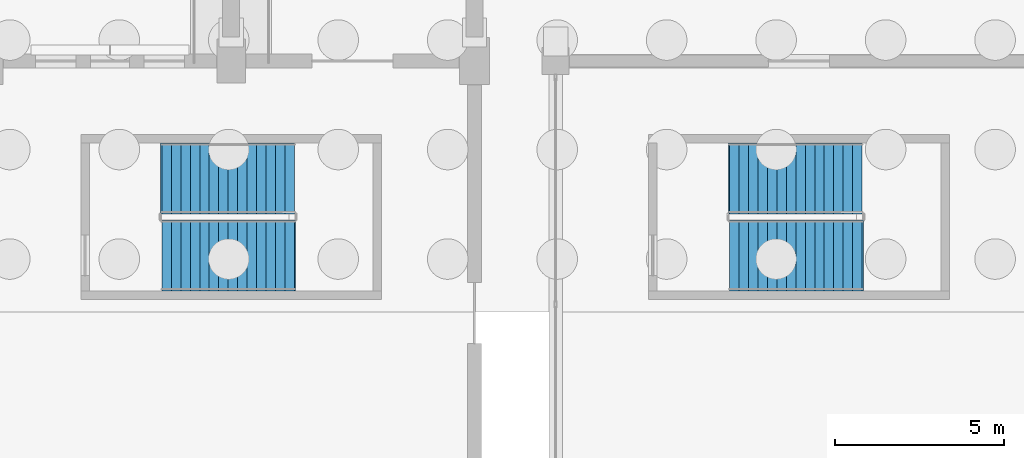
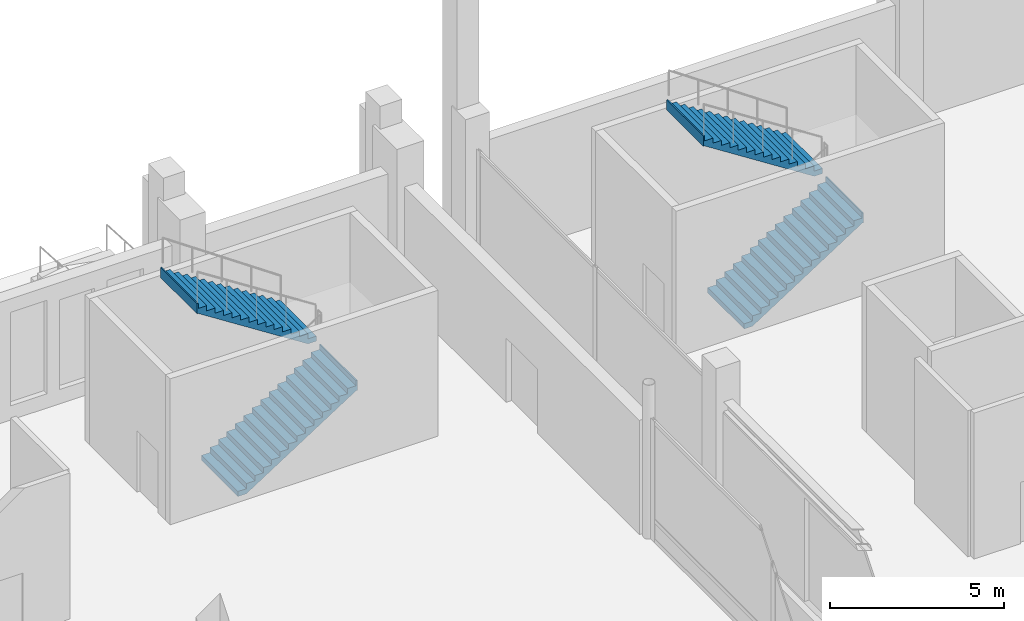
# One storey, part 167 of 192: 4 stair flights, 2 elements without a shape of their own.
"""IFC4 building model written with IfcOpenShell, lengths in metres."""

from ifc_helpers import new_model, si_unit, direction, frame, origin, place, context, subcontext, project, spatial, triangles, material, type_object, element, aggregate, save


model = new_model("IFC4")

# Units and contexts
model_context = context("Model", 3, precision=1e-05, world=origin(), true_north=direction((0.0, 1.0)))
body_context = subcontext(model_context, "Body", "Model", "MODEL_VIEW")
ifc_project = project(units=[si_unit("LENGTHUNIT", "METRE"), si_unit("AREAUNIT", "SQUARE_METRE"), si_unit("VOLUMEUNIT", "CUBIC_METRE"), si_unit("PLANEANGLEUNIT", "RADIAN"), si_unit("MASSUNIT", "GRAM", prefix="KILO")], contexts=[model_context])

# Site, building, storey
site_placement = place(None, origin())
site = spatial("IfcSite", under=ifc_project, at=site_placement, CompositionType="ELEMENT")
building_placement = place(site_placement, origin())
building = spatial("IfcBuilding", under=site, at=building_placement, Name="Cendralis Lancet Convention Centre", CompositionType="ELEMENT")
storey_placement = place(building_placement, origin())
storey = spatial("IfcBuildingStorey", under=building, at=storey_placement, Name="L00", CompositionType="ELEMENT", Elevation=0.0)

# Stair, stair flights
ifc_material = material(Name="Concrete G35 (C35/45)", Category="concrete")
stair_type = type_object("IfcStairType", Name="ARC-ST-CORE", PredefinedType="HALF_TURN_STAIR", material=ifc_material)
stair_1_placement = place(storey_placement, origin())
stair_1 = element("IfcStair", 1, at=stair_1_placement, inside=storey, type_object=stair_type, Name="L00 Protected Exit Stair ST-04", PredefinedType="HALF_TURN_STAIR")
stair_flight_type = type_object("IfcStairFlightType", Name="ARC-SF-CORE", PredefinedType="STRAIGHT", material=ifc_material)
stair_flight_1_placement = place(storey_placement, frame((113.14990234375, 131.050048828125, 0.0), z_axis=(0.0, 0.0, 1.0), x_axis=(1.0, 0.0, 0.0)))
stair_flight_1 = element("IfcStairFlight", 2, at=stair_flight_1_placement, type_object=stair_flight_type, Name="ST-04 flight 1", NumberOfRisers=15, NumberOfTreads=14, PredefinedType="STRAIGHT", RiserHeight=0.18, TreadLength=0.28, context=body_context, shape_type="Tessellation", body=[
    triangles([(0.0, 0.0, 0.09), (0.0, 1.050049, 0.0), (0.0, -1.050049, 0.0), (0.0, -1.050049, 0.18), (0.0, 1.050049, 0.18), (0.138604, 0.0, 0.18), (0.277208, -1.050049, 0.18), (0.277208, 1.050049, 0.18), (0.138604, 0.0, 0.0), (0.277208, -1.050049, 0.0), (0.277208, 1.050049, 0.0), (0.278604, 0.0, 0.18), (0.28, -1.050049, 0.18), (0.28, 1.050049, 0.18), (0.278604, 0.0, 0.000897), (0.28, -1.050049, 0.001795), (0.28, 1.050049, 0.001795), (0.28, 0.0, 0.27), (0.28, -1.050049, 0.36), (0.28, 1.050049, 0.36), (0.42, 0.0, 0.36), (0.56, -1.050049, 0.36), (0.56, 1.050049, 0.36), (0.42, 0.0, 0.091795), (0.56, -1.050049, 0.181795), (0.56, 1.050049, 0.181795), (0.56, 0.0, 0.45), (0.56, -1.050049, 0.54), (0.56, 1.050049, 0.54), (0.7, 0.0, 0.54), (0.84, -1.050049, 0.54), (0.84, 1.050049, 0.54), (0.7, 0.0, 0.271795), (0.84, -1.050049, 0.361795), (0.84, 1.050049, 0.361795), (0.84, 0.0, 0.63), (0.84, -1.050049, 0.72), (0.84, 1.050049, 0.72), (0.98, 0.0, 0.72), (1.12, -1.050049, 0.72), (1.12, 1.050049, 0.72), (0.98, 0.0, 0.451795), (1.12, -1.050049, 0.541795), (1.12, 1.050049, 0.541795), (1.12, 0.0, 0.81), (1.12, -1.050049, 0.9), (1.12, 1.050049, 0.9), (1.26, 0.0, 0.9), (1.4, -1.050049, 0.9), (1.4, 1.050049, 0.9), (1.26, 0.0, 0.631795), (1.4, -1.050049, 0.721795), (1.4, 1.050049, 0.721795), (1.4, 0.0, 0.99), (1.4, -1.050049, 1.08), (1.4, 1.050049, 1.08), (1.54, 0.0, 1.08), (1.68, -1.050049, 1.08), (1.68, 1.050049, 1.08), (1.54, 0.0, 0.811795), (1.68, -1.050049, 0.901795), (1.68, 1.050049, 0.901795), (1.68, 0.0, 1.17), (1.68, -1.050049, 1.26), (1.68, 1.050049, 1.26), (1.82, 0.0, 1.26), (1.96, -1.050049, 1.26), (1.96, 1.050049, 1.26), (1.82, 0.0, 0.991795), (1.96, -1.050049, 1.081795), (1.96, 1.050049, 1.081795), (1.96, 0.0, 1.35), (1.96, -1.050049, 1.44), (1.96, 1.050049, 1.44), (2.1, 0.0, 1.44), (2.24, -1.050049, 1.44), (2.24, 1.050049, 1.44), (2.1, 0.0, 1.171795), (2.24, -1.050049, 1.261795), (2.24, 1.050049, 1.261795), (2.24, 0.0, 1.53), (2.24, -1.050049, 1.62), (2.24, 1.050049, 1.62), (2.38, 0.0, 1.62), (2.52, -1.050049, 1.62), (2.52, 1.050049, 1.62), (2.38, 0.0, 1.351795), (2.52, -1.050049, 1.441795), (2.52, 1.050049, 1.441795), (2.52, 0.0, 1.71), (2.52, -1.050049, 1.8), (2.52, 1.050049, 1.8), (2.66, 0.0, 1.8), (2.8, -1.050049, 1.8), (2.8, 1.050049, 1.8), (2.66, 0.0, 1.531795), (2.8, -1.050049, 1.621795), (2.8, 1.050049, 1.621795), (2.8, 0.0, 1.89), (2.8, -1.050049, 1.98), (2.8, 1.050049, 1.98), (2.94, 0.0, 1.98), (3.08, -1.050049, 1.98), (3.08, 1.050049, 1.98), (2.94, 0.0, 1.711795), (3.08, -1.050049, 1.801795), (3.08, 1.050049, 1.801795), (3.08, 0.0, 2.07), (3.08, -1.050049, 2.16), (3.08, 1.050049, 2.16), (3.22, 0.0, 2.16), (3.36, -1.050049, 2.16), (3.36, 1.050049, 2.16), (3.22, 0.0, 1.891795), (3.36, -1.050049, 1.981795), (3.36, 1.050049, 1.981795), (3.36, 0.0, 2.25), (3.36, -1.050049, 2.34), (3.36, 1.050049, 2.34), (3.5, 0.0, 2.34), (3.64, -1.050049, 2.34), (3.64, 1.050049, 2.34), (3.5, 0.0, 2.071795), (3.64, -1.050049, 2.161795), (3.64, 1.050049, 2.161795), (3.64, 0.0, 2.43), (3.64, -1.050049, 2.52), (3.64, 1.050049, 2.52), (3.78, 0.0, 2.52), (3.92, -1.050049, 2.52), (3.92, 1.050049, 2.52), (3.78, 0.0, 2.251795), (3.92, -1.050049, 2.341795), (3.92, 1.050049, 2.341795), (3.92, 0.0, 2.61), (3.92, -1.050049, 2.7), (3.92, 1.050049, 2.7), (3.94, 0.0, 2.7), (3.96, -1.050049, 2.7), (3.96, 1.050049, 2.7), (3.94, 0.0, 2.341795), (3.96, -1.050049, 2.341795), (3.96, 1.050049, 2.341795), (3.96, 0.0, 2.520898)], [[2, 3, 1], [3, 4, 1], [4, 5, 1], [5, 2, 1], [4, 7, 6], [7, 8, 6], [8, 5, 6], [5, 4, 6], [10, 3, 9], [3, 2, 9], [2, 11, 9], [11, 10, 9], [3, 10, 7], [3, 7, 4], [2, 8, 11], [2, 5, 8], [7, 13, 12], [13, 14, 12], [14, 8, 12], [8, 7, 12], [16, 10, 15], [10, 11, 15], [11, 17, 15], [17, 16, 15], [10, 16, 13], [10, 13, 7], [11, 14, 17], [11, 8, 14], [14, 13, 18], [13, 19, 18], [19, 20, 18], [20, 14, 18], [19, 22, 21], [22, 23, 21], [23, 20, 21], [20, 19, 21], [25, 16, 24], [16, 17, 24], [17, 26, 24], [26, 25, 24], [16, 25, 22], [16, 22, 13], [13, 22, 19], [17, 23, 26], [17, 14, 23], [14, 20, 23], [23, 22, 27], [22, 28, 27], [28, 29, 27], [29, 23, 27], [28, 31, 30], [31, 32, 30], [32, 29, 30], [29, 28, 30], [34, 25, 33], [25, 26, 33], [26, 35, 33], [35, 34, 33], [25, 34, 31], [25, 31, 22], [22, 31, 28], [26, 32, 35], [26, 23, 32], [23, 29, 32], [32, 31, 36], [31, 37, 36], [37, 38, 36], [38, 32, 36], [37, 40, 39], [40, 41, 39], [41, 38, 39], [38, 37, 39], [43, 34, 42], [34, 35, 42], [35, 44, 42], [44, 43, 42], [34, 43, 40], [34, 40, 31], [31, 40, 37], [35, 41, 44], [35, 32, 41], [32, 38, 41], [41, 40, 45], [40, 46, 45], [46, 47, 45], [47, 41, 45], [46, 49, 48], [49, 50, 48], [50, 47, 48], [47, 46, 48], [52, 43, 51], [43, 44, 51], [44, 53, 51], [53, 52, 51], [43, 52, 49], [43, 49, 40], [40, 49, 46], [44, 50, 53], [44, 41, 50], [41, 47, 50], [50, 49, 54], [49, 55, 54], [55, 56, 54], [56, 50, 54], [55, 58, 57], [58, 59, 57], [59, 56, 57], [56, 55, 57], [61, 52, 60], [52, 53, 60], [53, 62, 60], [62, 61, 60], [52, 61, 58], [52, 58, 49], [49, 58, 55], [53, 59, 62], [53, 50, 59], [50, 56, 59], [59, 58, 63], [58, 64, 63], [64, 65, 63], [65, 59, 63], [64, 67, 66], [67, 68, 66], [68, 65, 66], [65, 64, 66], [70, 61, 69], [61, 62, 69], [62, 71, 69], [71, 70, 69], [61, 70, 67], [61, 67, 58], [58, 67, 64], [62, 68, 71], [62, 59, 68], [59, 65, 68], [68, 67, 72], [67, 73, 72], [73, 74, 72], [74, 68, 72], [73, 76, 75], [76, 77, 75], [77, 74, 75], [74, 73, 75], [79, 70, 78], [70, 71, 78], [71, 80, 78], [80, 79, 78], [70, 79, 76], [70, 76, 67], [67, 76, 73], [71, 77, 80], [71, 68, 77], [68, 74, 77], [77, 76, 81], [76, 82, 81], [82, 83, 81], [83, 77, 81], [82, 85, 84], [85, 86, 84], [86, 83, 84], [83, 82, 84], [88, 79, 87], [79, 80, 87], [80, 89, 87], [89, 88, 87], [79, 88, 85], [79, 85, 76], [76, 85, 82], [80, 86, 89], [80, 77, 86], [77, 83, 86], [86, 85, 90], [85, 91, 90], [91, 92, 90], [92, 86, 90], [91, 94, 93], [94, 95, 93], [95, 92, 93], [92, 91, 93], [97, 88, 96], [88, 89, 96], [89, 98, 96], [98, 97, 96], [88, 97, 94], [88, 94, 85], [85, 94, 91], [89, 95, 98], [89, 86, 95], [86, 92, 95], [95, 94, 99], [94, 100, 99], [100, 101, 99], [101, 95, 99], [100, 103, 102], [103, 104, 102], [104, 101, 102], [101, 100, 102], [106, 97, 105], [97, 98, 105], [98, 107, 105], [107, 106, 105], [97, 106, 103], [97, 103, 94], [94, 103, 100], [98, 104, 107], [98, 95, 104], [95, 101, 104], [104, 103, 108], [103, 109, 108], [109, 110, 108], [110, 104, 108], [109, 112, 111], [112, 113, 111], [113, 110, 111], [110, 109, 111], [115, 106, 114], [106, 107, 114], [107, 116, 114], [116, 115, 114], [106, 115, 112], [106, 112, 103], [103, 112, 109], [107, 113, 116], [107, 104, 113], [104, 110, 113], [113, 112, 117], [112, 118, 117], [118, 119, 117], [119, 113, 117], [118, 121, 120], [121, 122, 120], [122, 119, 120], [119, 118, 120], [124, 115, 123], [115, 116, 123], [116, 125, 123], [125, 124, 123], [115, 124, 121], [115, 121, 112], [112, 121, 118], [116, 122, 125], [116, 113, 122], [113, 119, 122], [122, 121, 126], [121, 127, 126], [127, 128, 126], [128, 122, 126], [127, 130, 129], [130, 131, 129], [131, 128, 129], [128, 127, 129], [133, 124, 132], [124, 125, 132], [125, 134, 132], [134, 133, 132], [124, 133, 130], [124, 130, 121], [121, 130, 127], [125, 131, 134], [125, 122, 131], [122, 128, 131], [131, 130, 135], [130, 136, 135], [136, 137, 135], [137, 131, 135], [136, 139, 138], [139, 140, 138], [140, 137, 138], [137, 136, 138], [142, 133, 141], [133, 134, 141], [134, 143, 141], [143, 142, 141], [133, 142, 139], [133, 139, 130], [130, 139, 136], [134, 140, 143], [134, 131, 140], [131, 137, 140], [142, 143, 144], [143, 140, 144], [140, 139, 144], [139, 142, 144]], closed=True),
])
stair_flight_2_placement = place(storey_placement, frame((117.070068359375, 133.330078125, 2.699951171875), z_axis=(0.0, 0.0, 1.0), x_axis=(-1.0, 0.0, 0.0)))
stair_flight_2 = element("IfcStairFlight", 3, at=stair_flight_2_placement, type_object=stair_flight_type, Name="ST-04 flight 2", NumberOfRisers=15, NumberOfTreads=14, PredefinedType="STRAIGHT", RiserHeight=0.18, TreadLength=0.28, context=body_context, shape_type="Tessellation", body=[
    triangles([(0.0, 0.0, 0.09), (0.0, 1.050049, 0.0), (0.0, -1.050049, 0.0), (0.0, -1.050049, 0.18), (0.0, 1.050049, 0.18), (0.138604, 0.0, 0.18), (0.277208, -1.050049, 0.18), (0.277208, 1.050049, 0.18), (0.138604, 0.0, 0.0), (0.277208, -1.050049, 0.0), (0.277208, 1.050049, 0.0), (0.278604, 0.0, 0.18), (0.28, -1.050049, 0.18), (0.28, 1.050049, 0.18), (0.278604, 0.0, 0.000897), (0.28, -1.050049, 0.001795), (0.28, 1.050049, 0.001795), (0.28, 0.0, 0.27), (0.28, -1.050049, 0.36), (0.28, 1.050049, 0.36), (0.42, 0.0, 0.36), (0.56, -1.050049, 0.36), (0.56, 1.050049, 0.36), (0.42, 0.0, 0.091795), (0.56, -1.050049, 0.181795), (0.56, 1.050049, 0.181795), (0.56, 0.0, 0.45), (0.56, -1.050049, 0.54), (0.56, 1.050049, 0.54), (0.7, 0.0, 0.54), (0.84, -1.050049, 0.54), (0.84, 1.050049, 0.54), (0.7, 0.0, 0.271795), (0.84, -1.050049, 0.361795), (0.84, 1.050049, 0.361795), (0.84, 0.0, 0.63), (0.84, -1.050049, 0.72), (0.84, 1.050049, 0.72), (0.98, 0.0, 0.72), (1.12, -1.050049, 0.72), (1.12, 1.050049, 0.72), (0.98, 0.0, 0.451795), (1.12, -1.050049, 0.541795), (1.12, 1.050049, 0.541795), (1.12, 0.0, 0.81), (1.12, -1.050049, 0.9), (1.12, 1.050049, 0.9), (1.26, 0.0, 0.9), (1.4, -1.050049, 0.9), (1.4, 1.050049, 0.9), (1.26, 0.0, 0.631795), (1.4, -1.050049, 0.721795), (1.4, 1.050049, 0.721795), (1.4, 0.0, 0.99), (1.4, -1.050049, 1.08), (1.4, 1.050049, 1.08), (1.54, 0.0, 1.08), (1.68, -1.050049, 1.08), (1.68, 1.050049, 1.08), (1.54, 0.0, 0.811795), (1.68, -1.050049, 0.901795), (1.68, 1.050049, 0.901795), (1.68, 0.0, 1.17), (1.68, -1.050049, 1.26), (1.68, 1.050049, 1.26), (1.82, 0.0, 1.26), (1.96, -1.050049, 1.26), (1.96, 1.050049, 1.26), (1.82, 0.0, 0.991795), (1.96, -1.050049, 1.081795), (1.96, 1.050049, 1.081795), (1.96, 0.0, 1.35), (1.96, -1.050049, 1.44), (1.96, 1.050049, 1.44), (2.1, 0.0, 1.44), (2.24, -1.050049, 1.44), (2.24, 1.050049, 1.44), (2.1, 0.0, 1.171795), (2.24, -1.050049, 1.261795), (2.24, 1.050049, 1.261795), (2.24, 0.0, 1.53), (2.24, -1.050049, 1.62), (2.24, 1.050049, 1.62), (2.38, 0.0, 1.62), (2.52, -1.050049, 1.62), (2.52, 1.050049, 1.62), (2.38, 0.0, 1.351795), (2.52, -1.050049, 1.441795), (2.52, 1.050049, 1.441795), (2.52, 0.0, 1.71), (2.52, -1.050049, 1.8), (2.52, 1.050049, 1.8), (2.66, 0.0, 1.8), (2.8, -1.050049, 1.8), (2.8, 1.050049, 1.8), (2.66, 0.0, 1.531795), (2.8, -1.050049, 1.621795), (2.8, 1.050049, 1.621795), (2.8, 0.0, 1.89), (2.8, -1.050049, 1.98), (2.8, 1.050049, 1.98), (2.94, 0.0, 1.98), (3.08, -1.050049, 1.98), (3.08, 1.050049, 1.98), (2.94, 0.0, 1.711795), (3.08, -1.050049, 1.801795), (3.08, 1.050049, 1.801795), (3.08, 0.0, 2.07), (3.08, -1.050049, 2.16), (3.08, 1.050049, 2.16), (3.22, 0.0, 2.16), (3.36, -1.050049, 2.16), (3.36, 1.050049, 2.16), (3.22, 0.0, 1.891795), (3.36, -1.050049, 1.981795), (3.36, 1.050049, 1.981795), (3.36, 0.0, 2.25), (3.36, -1.050049, 2.34), (3.36, 1.050049, 2.34), (3.5, 0.0, 2.34), (3.64, -1.050049, 2.34), (3.64, 1.050049, 2.34), (3.5, 0.0, 2.071795), (3.64, -1.050049, 2.161795), (3.64, 1.050049, 2.161795), (3.64, 0.0, 2.43), (3.64, -1.050049, 2.52), (3.64, 1.050049, 2.52), (3.78, 0.0, 2.52), (3.92, -1.050049, 2.52), (3.92, 1.050049, 2.52), (3.78, 0.0, 2.251795), (3.92, -1.050049, 2.341795), (3.92, 1.050049, 2.341795), (3.92, 0.0, 2.61), (3.92, -1.050049, 2.7), (3.92, 1.050049, 2.7), (3.94, 0.0, 2.7), (3.96, -1.050049, 2.7), (3.96, 1.050049, 2.7), (3.94, 0.0, 2.341795), (3.96, -1.050049, 2.341795), (3.96, 1.050049, 2.341795), (3.96, 0.0, 2.520898)], [[2, 3, 1], [3, 4, 1], [4, 5, 1], [5, 2, 1], [4, 7, 6], [7, 8, 6], [8, 5, 6], [5, 4, 6], [10, 3, 9], [3, 2, 9], [2, 11, 9], [11, 10, 9], [3, 10, 7], [3, 7, 4], [2, 8, 11], [2, 5, 8], [7, 13, 12], [13, 14, 12], [14, 8, 12], [8, 7, 12], [16, 10, 15], [10, 11, 15], [11, 17, 15], [17, 16, 15], [10, 16, 13], [10, 13, 7], [11, 14, 17], [11, 8, 14], [14, 13, 18], [13, 19, 18], [19, 20, 18], [20, 14, 18], [19, 22, 21], [22, 23, 21], [23, 20, 21], [20, 19, 21], [25, 16, 24], [16, 17, 24], [17, 26, 24], [26, 25, 24], [16, 25, 22], [16, 22, 13], [13, 22, 19], [17, 23, 26], [17, 14, 23], [14, 20, 23], [23, 22, 27], [22, 28, 27], [28, 29, 27], [29, 23, 27], [28, 31, 30], [31, 32, 30], [32, 29, 30], [29, 28, 30], [34, 25, 33], [25, 26, 33], [26, 35, 33], [35, 34, 33], [25, 34, 31], [25, 31, 22], [22, 31, 28], [26, 32, 35], [26, 23, 32], [23, 29, 32], [32, 31, 36], [31, 37, 36], [37, 38, 36], [38, 32, 36], [37, 40, 39], [40, 41, 39], [41, 38, 39], [38, 37, 39], [43, 34, 42], [34, 35, 42], [35, 44, 42], [44, 43, 42], [34, 43, 40], [34, 40, 31], [31, 40, 37], [35, 41, 44], [35, 32, 41], [32, 38, 41], [41, 40, 45], [40, 46, 45], [46, 47, 45], [47, 41, 45], [46, 49, 48], [49, 50, 48], [50, 47, 48], [47, 46, 48], [52, 43, 51], [43, 44, 51], [44, 53, 51], [53, 52, 51], [43, 52, 49], [43, 49, 40], [40, 49, 46], [44, 50, 53], [44, 41, 50], [41, 47, 50], [50, 49, 54], [49, 55, 54], [55, 56, 54], [56, 50, 54], [55, 58, 57], [58, 59, 57], [59, 56, 57], [56, 55, 57], [61, 52, 60], [52, 53, 60], [53, 62, 60], [62, 61, 60], [52, 61, 58], [52, 58, 49], [49, 58, 55], [53, 59, 62], [53, 50, 59], [50, 56, 59], [59, 58, 63], [58, 64, 63], [64, 65, 63], [65, 59, 63], [64, 67, 66], [67, 68, 66], [68, 65, 66], [65, 64, 66], [70, 61, 69], [61, 62, 69], [62, 71, 69], [71, 70, 69], [61, 70, 67], [61, 67, 58], [58, 67, 64], [62, 68, 71], [62, 59, 68], [59, 65, 68], [68, 67, 72], [67, 73, 72], [73, 74, 72], [74, 68, 72], [73, 76, 75], [76, 77, 75], [77, 74, 75], [74, 73, 75], [79, 70, 78], [70, 71, 78], [71, 80, 78], [80, 79, 78], [70, 79, 76], [70, 76, 67], [67, 76, 73], [71, 77, 80], [71, 68, 77], [68, 74, 77], [77, 76, 81], [76, 82, 81], [82, 83, 81], [83, 77, 81], [82, 85, 84], [85, 86, 84], [86, 83, 84], [83, 82, 84], [88, 79, 87], [79, 80, 87], [80, 89, 87], [89, 88, 87], [79, 88, 85], [79, 85, 76], [76, 85, 82], [80, 86, 89], [80, 77, 86], [77, 83, 86], [86, 85, 90], [85, 91, 90], [91, 92, 90], [92, 86, 90], [91, 94, 93], [94, 95, 93], [95, 92, 93], [92, 91, 93], [97, 88, 96], [88, 89, 96], [89, 98, 96], [98, 97, 96], [88, 97, 94], [88, 94, 85], [85, 94, 91], [89, 95, 98], [89, 86, 95], [86, 92, 95], [95, 94, 99], [94, 100, 99], [100, 101, 99], [101, 95, 99], [100, 103, 102], [103, 104, 102], [104, 101, 102], [101, 100, 102], [106, 97, 105], [97, 98, 105], [98, 107, 105], [107, 106, 105], [97, 106, 103], [97, 103, 94], [94, 103, 100], [98, 104, 107], [98, 95, 104], [95, 101, 104], [104, 103, 108], [103, 109, 108], [109, 110, 108], [110, 104, 108], [109, 112, 111], [112, 113, 111], [113, 110, 111], [110, 109, 111], [115, 106, 114], [106, 107, 114], [107, 116, 114], [116, 115, 114], [106, 115, 112], [106, 112, 103], [103, 112, 109], [107, 113, 116], [107, 104, 113], [104, 110, 113], [113, 112, 117], [112, 118, 117], [118, 119, 117], [119, 113, 117], [118, 121, 120], [121, 122, 120], [122, 119, 120], [119, 118, 120], [124, 115, 123], [115, 116, 123], [116, 125, 123], [125, 124, 123], [115, 124, 121], [115, 121, 112], [112, 121, 118], [116, 122, 125], [116, 113, 122], [113, 119, 122], [122, 121, 126], [121, 127, 126], [127, 128, 126], [128, 122, 126], [127, 130, 129], [130, 131, 129], [131, 128, 129], [128, 127, 129], [133, 124, 132], [124, 125, 132], [125, 134, 132], [134, 133, 132], [124, 133, 130], [124, 130, 121], [121, 130, 127], [125, 131, 134], [125, 122, 131], [122, 128, 131], [131, 130, 135], [130, 136, 135], [136, 137, 135], [137, 131, 135], [136, 139, 138], [139, 140, 138], [140, 137, 138], [137, 136, 138], [142, 133, 141], [133, 134, 141], [134, 143, 141], [143, 142, 141], [133, 142, 139], [133, 139, 130], [130, 139, 136], [134, 140, 143], [134, 131, 140], [131, 137, 140], [142, 143, 144], [143, 140, 144], [140, 139, 144], [139, 142, 144]], closed=True),
])
aggregate(stair_1, [stair_flight_1, stair_flight_2])

stair_2_placement = place(storey_placement, origin())
stair_2 = element("IfcStair", 4, at=stair_2_placement, inside=storey, type_object=stair_type, Name="L00 Protected Exit Stair ST-05", PredefinedType="HALF_TURN_STAIR")
stair_flight_3_placement = place(storey_placement, frame((129.949951171875, 131.050048828125, 0.0), z_axis=(0.0, 0.0, 1.0), x_axis=(1.0, 0.0, 0.0)))
stair_flight_3 = element("IfcStairFlight", 5, at=stair_flight_3_placement, type_object=stair_flight_type, Name="ST-05 flight 1", NumberOfRisers=15, NumberOfTreads=14, PredefinedType="STRAIGHT", RiserHeight=0.18, TreadLength=0.28, context=body_context, shape_type="Tessellation", body=[
    triangles([(0.0, 0.0, 0.09), (0.0, 1.050049, 0.0), (0.0, -1.050049, 0.0), (0.0, -1.050049, 0.18), (0.0, 1.050049, 0.18), (0.138604, 0.0, 0.18), (0.277208, -1.050049, 0.18), (0.277208, 1.050049, 0.18), (0.138604, 0.0, 0.0), (0.277208, -1.050049, 0.0), (0.277208, 1.050049, 0.0), (0.278604, 0.0, 0.18), (0.28, -1.050049, 0.18), (0.28, 1.050049, 0.18), (0.278604, 0.0, 0.000897), (0.28, -1.050049, 0.001795), (0.28, 1.050049, 0.001795), (0.28, 0.0, 0.27), (0.28, -1.050049, 0.36), (0.28, 1.050049, 0.36), (0.42, 0.0, 0.36), (0.56, -1.050049, 0.36), (0.56, 1.050049, 0.36), (0.42, 0.0, 0.091795), (0.56, -1.050049, 0.181795), (0.56, 1.050049, 0.181795), (0.56, 0.0, 0.45), (0.56, -1.050049, 0.54), (0.56, 1.050049, 0.54), (0.7, 0.0, 0.54), (0.84, -1.050049, 0.54), (0.84, 1.050049, 0.54), (0.7, 0.0, 0.271795), (0.84, -1.050049, 0.361795), (0.84, 1.050049, 0.361795), (0.84, 0.0, 0.63), (0.84, -1.050049, 0.72), (0.84, 1.050049, 0.72), (0.98, 0.0, 0.72), (1.12, -1.050049, 0.72), (1.12, 1.050049, 0.72), (0.98, 0.0, 0.451795), (1.12, -1.050049, 0.541795), (1.12, 1.050049, 0.541795), (1.12, 0.0, 0.81), (1.12, -1.050049, 0.9), (1.12, 1.050049, 0.9), (1.26, 0.0, 0.9), (1.4, -1.050049, 0.9), (1.4, 1.050049, 0.9), (1.26, 0.0, 0.631795), (1.4, -1.050049, 0.721795), (1.4, 1.050049, 0.721795), (1.4, 0.0, 0.99), (1.4, -1.050049, 1.08), (1.4, 1.050049, 1.08), (1.54, 0.0, 1.08), (1.68, -1.050049, 1.08), (1.68, 1.050049, 1.08), (1.54, 0.0, 0.811795), (1.68, -1.050049, 0.901795), (1.68, 1.050049, 0.901795), (1.68, 0.0, 1.17), (1.68, -1.050049, 1.26), (1.68, 1.050049, 1.26), (1.82, 0.0, 1.26), (1.96, -1.050049, 1.26), (1.96, 1.050049, 1.26), (1.82, 0.0, 0.991795), (1.96, -1.050049, 1.081795), (1.96, 1.050049, 1.081795), (1.96, 0.0, 1.35), (1.96, -1.050049, 1.44), (1.96, 1.050049, 1.44), (2.1, 0.0, 1.44), (2.24, -1.050049, 1.44), (2.24, 1.050049, 1.44), (2.1, 0.0, 1.171795), (2.24, -1.050049, 1.261795), (2.24, 1.050049, 1.261795), (2.24, 0.0, 1.53), (2.24, -1.050049, 1.62), (2.24, 1.050049, 1.62), (2.38, 0.0, 1.62), (2.52, -1.050049, 1.62), (2.52, 1.050049, 1.62), (2.38, 0.0, 1.351795), (2.52, -1.050049, 1.441795), (2.52, 1.050049, 1.441795), (2.52, 0.0, 1.71), (2.52, -1.050049, 1.8), (2.52, 1.050049, 1.8), (2.66, 0.0, 1.8), (2.8, -1.050049, 1.8), (2.8, 1.050049, 1.8), (2.66, 0.0, 1.531795), (2.8, -1.050049, 1.621795), (2.8, 1.050049, 1.621795), (2.8, 0.0, 1.89), (2.8, -1.050049, 1.98), (2.8, 1.050049, 1.98), (2.94, 0.0, 1.98), (3.08, -1.050049, 1.98), (3.08, 1.050049, 1.98), (2.94, 0.0, 1.711795), (3.08, -1.050049, 1.801795), (3.08, 1.050049, 1.801795), (3.08, 0.0, 2.07), (3.08, -1.050049, 2.16), (3.08, 1.050049, 2.16), (3.22, 0.0, 2.16), (3.36, -1.050049, 2.16), (3.36, 1.050049, 2.16), (3.22, 0.0, 1.891795), (3.36, -1.050049, 1.981795), (3.36, 1.050049, 1.981795), (3.36, 0.0, 2.25), (3.36, -1.050049, 2.34), (3.36, 1.050049, 2.34), (3.5, 0.0, 2.34), (3.64, -1.050049, 2.34), (3.64, 1.050049, 2.34), (3.5, 0.0, 2.071795), (3.64, -1.050049, 2.161795), (3.64, 1.050049, 2.161795), (3.64, 0.0, 2.43), (3.64, -1.050049, 2.52), (3.64, 1.050049, 2.52), (3.78, 0.0, 2.52), (3.92, -1.050049, 2.52), (3.92, 1.050049, 2.52), (3.78, 0.0, 2.251795), (3.92, -1.050049, 2.341795), (3.92, 1.050049, 2.341795), (3.92, 0.0, 2.61), (3.92, -1.050049, 2.7), (3.92, 1.050049, 2.7), (3.94, 0.0, 2.7), (3.96, -1.050049, 2.7), (3.96, 1.050049, 2.7), (3.94, 0.0, 2.341795), (3.96, -1.050049, 2.341795), (3.96, 1.050049, 2.341795), (3.96, 0.0, 2.520898)], [[2, 3, 1], [3, 4, 1], [4, 5, 1], [5, 2, 1], [4, 7, 6], [7, 8, 6], [8, 5, 6], [5, 4, 6], [10, 3, 9], [3, 2, 9], [2, 11, 9], [11, 10, 9], [3, 10, 7], [3, 7, 4], [2, 8, 11], [2, 5, 8], [7, 13, 12], [13, 14, 12], [14, 8, 12], [8, 7, 12], [16, 10, 15], [10, 11, 15], [11, 17, 15], [17, 16, 15], [10, 16, 13], [10, 13, 7], [11, 14, 17], [11, 8, 14], [14, 13, 18], [13, 19, 18], [19, 20, 18], [20, 14, 18], [19, 22, 21], [22, 23, 21], [23, 20, 21], [20, 19, 21], [25, 16, 24], [16, 17, 24], [17, 26, 24], [26, 25, 24], [16, 25, 22], [16, 22, 13], [13, 22, 19], [17, 23, 26], [17, 14, 23], [14, 20, 23], [23, 22, 27], [22, 28, 27], [28, 29, 27], [29, 23, 27], [28, 31, 30], [31, 32, 30], [32, 29, 30], [29, 28, 30], [34, 25, 33], [25, 26, 33], [26, 35, 33], [35, 34, 33], [25, 34, 31], [25, 31, 22], [22, 31, 28], [26, 32, 35], [26, 23, 32], [23, 29, 32], [32, 31, 36], [31, 37, 36], [37, 38, 36], [38, 32, 36], [37, 40, 39], [40, 41, 39], [41, 38, 39], [38, 37, 39], [43, 34, 42], [34, 35, 42], [35, 44, 42], [44, 43, 42], [34, 43, 40], [34, 40, 31], [31, 40, 37], [35, 41, 44], [35, 32, 41], [32, 38, 41], [41, 40, 45], [40, 46, 45], [46, 47, 45], [47, 41, 45], [46, 49, 48], [49, 50, 48], [50, 47, 48], [47, 46, 48], [52, 43, 51], [43, 44, 51], [44, 53, 51], [53, 52, 51], [43, 52, 49], [43, 49, 40], [40, 49, 46], [44, 50, 53], [44, 41, 50], [41, 47, 50], [50, 49, 54], [49, 55, 54], [55, 56, 54], [56, 50, 54], [55, 58, 57], [58, 59, 57], [59, 56, 57], [56, 55, 57], [61, 52, 60], [52, 53, 60], [53, 62, 60], [62, 61, 60], [52, 61, 58], [52, 58, 49], [49, 58, 55], [53, 59, 62], [53, 50, 59], [50, 56, 59], [59, 58, 63], [58, 64, 63], [64, 65, 63], [65, 59, 63], [64, 67, 66], [67, 68, 66], [68, 65, 66], [65, 64, 66], [70, 61, 69], [61, 62, 69], [62, 71, 69], [71, 70, 69], [61, 70, 67], [61, 67, 58], [58, 67, 64], [62, 68, 71], [62, 59, 68], [59, 65, 68], [68, 67, 72], [67, 73, 72], [73, 74, 72], [74, 68, 72], [73, 76, 75], [76, 77, 75], [77, 74, 75], [74, 73, 75], [79, 70, 78], [70, 71, 78], [71, 80, 78], [80, 79, 78], [70, 79, 76], [70, 76, 67], [67, 76, 73], [71, 77, 80], [71, 68, 77], [68, 74, 77], [77, 76, 81], [76, 82, 81], [82, 83, 81], [83, 77, 81], [82, 85, 84], [85, 86, 84], [86, 83, 84], [83, 82, 84], [88, 79, 87], [79, 80, 87], [80, 89, 87], [89, 88, 87], [79, 88, 85], [79, 85, 76], [76, 85, 82], [80, 86, 89], [80, 77, 86], [77, 83, 86], [86, 85, 90], [85, 91, 90], [91, 92, 90], [92, 86, 90], [91, 94, 93], [94, 95, 93], [95, 92, 93], [92, 91, 93], [97, 88, 96], [88, 89, 96], [89, 98, 96], [98, 97, 96], [88, 97, 94], [88, 94, 85], [85, 94, 91], [89, 95, 98], [89, 86, 95], [86, 92, 95], [95, 94, 99], [94, 100, 99], [100, 101, 99], [101, 95, 99], [100, 103, 102], [103, 104, 102], [104, 101, 102], [101, 100, 102], [106, 97, 105], [97, 98, 105], [98, 107, 105], [107, 106, 105], [97, 106, 103], [97, 103, 94], [94, 103, 100], [98, 104, 107], [98, 95, 104], [95, 101, 104], [104, 103, 108], [103, 109, 108], [109, 110, 108], [110, 104, 108], [109, 112, 111], [112, 113, 111], [113, 110, 111], [110, 109, 111], [115, 106, 114], [106, 107, 114], [107, 116, 114], [116, 115, 114], [106, 115, 112], [106, 112, 103], [103, 112, 109], [107, 113, 116], [107, 104, 113], [104, 110, 113], [113, 112, 117], [112, 118, 117], [118, 119, 117], [119, 113, 117], [118, 121, 120], [121, 122, 120], [122, 119, 120], [119, 118, 120], [124, 115, 123], [115, 116, 123], [116, 125, 123], [125, 124, 123], [115, 124, 121], [115, 121, 112], [112, 121, 118], [116, 122, 125], [116, 113, 122], [113, 119, 122], [122, 121, 126], [121, 127, 126], [127, 128, 126], [128, 122, 126], [127, 130, 129], [130, 131, 129], [131, 128, 129], [128, 127, 129], [133, 124, 132], [124, 125, 132], [125, 134, 132], [134, 133, 132], [124, 133, 130], [124, 130, 121], [121, 130, 127], [125, 131, 134], [125, 122, 131], [122, 128, 131], [131, 130, 135], [130, 136, 135], [136, 137, 135], [137, 131, 135], [136, 139, 138], [139, 140, 138], [140, 137, 138], [137, 136, 138], [142, 133, 141], [133, 134, 141], [134, 143, 141], [143, 142, 141], [133, 142, 139], [133, 139, 130], [130, 139, 136], [134, 140, 143], [134, 131, 140], [131, 137, 140], [142, 143, 144], [143, 140, 144], [140, 139, 144], [139, 142, 144]], closed=True),
])
stair_flight_4_placement = place(storey_placement, frame((133.8701171875, 133.330078125, 2.699951171875), z_axis=(0.0, 0.0, 1.0), x_axis=(-1.0, 0.0, 0.0)))
stair_flight_4 = element("IfcStairFlight", 6, at=stair_flight_4_placement, type_object=stair_flight_type, Name="ST-05 flight 2", NumberOfRisers=15, NumberOfTreads=14, PredefinedType="STRAIGHT", RiserHeight=0.18, TreadLength=0.28, context=body_context, shape_type="Tessellation", body=[
    triangles([(0.0, 0.0, 0.09), (0.0, 1.050049, 0.0), (0.0, -1.050049, 0.0), (0.0, -1.050049, 0.18), (0.0, 1.050049, 0.18), (0.138604, 0.0, 0.18), (0.277208, -1.050049, 0.18), (0.277208, 1.050049, 0.18), (0.138604, 0.0, 0.0), (0.277208, -1.050049, 0.0), (0.277208, 1.050049, 0.0), (0.278604, 0.0, 0.18), (0.28, -1.050049, 0.18), (0.28, 1.050049, 0.18), (0.278604, 0.0, 0.000897), (0.28, -1.050049, 0.001795), (0.28, 1.050049, 0.001795), (0.28, 0.0, 0.27), (0.28, -1.050049, 0.36), (0.28, 1.050049, 0.36), (0.42, 0.0, 0.36), (0.56, -1.050049, 0.36), (0.56, 1.050049, 0.36), (0.42, 0.0, 0.091795), (0.56, -1.050049, 0.181795), (0.56, 1.050049, 0.181795), (0.56, 0.0, 0.45), (0.56, -1.050049, 0.54), (0.56, 1.050049, 0.54), (0.7, 0.0, 0.54), (0.84, -1.050049, 0.54), (0.84, 1.050049, 0.54), (0.7, 0.0, 0.271795), (0.84, -1.050049, 0.361795), (0.84, 1.050049, 0.361795), (0.84, 0.0, 0.63), (0.84, -1.050049, 0.72), (0.84, 1.050049, 0.72), (0.98, 0.0, 0.72), (1.12, -1.050049, 0.72), (1.12, 1.050049, 0.72), (0.98, 0.0, 0.451795), (1.12, -1.050049, 0.541795), (1.12, 1.050049, 0.541795), (1.12, 0.0, 0.81), (1.12, -1.050049, 0.9), (1.12, 1.050049, 0.9), (1.26, 0.0, 0.9), (1.4, -1.050049, 0.9), (1.4, 1.050049, 0.9), (1.26, 0.0, 0.631795), (1.4, -1.050049, 0.721795), (1.4, 1.050049, 0.721795), (1.4, 0.0, 0.99), (1.4, -1.050049, 1.08), (1.4, 1.050049, 1.08), (1.54, 0.0, 1.08), (1.68, -1.050049, 1.08), (1.68, 1.050049, 1.08), (1.54, 0.0, 0.811795), (1.68, -1.050049, 0.901795), (1.68, 1.050049, 0.901795), (1.68, 0.0, 1.17), (1.68, -1.050049, 1.26), (1.68, 1.050049, 1.26), (1.82, 0.0, 1.26), (1.96, -1.050049, 1.26), (1.96, 1.050049, 1.26), (1.82, 0.0, 0.991795), (1.96, -1.050049, 1.081795), (1.96, 1.050049, 1.081795), (1.96, 0.0, 1.35), (1.96, -1.050049, 1.44), (1.96, 1.050049, 1.44), (2.1, 0.0, 1.44), (2.24, -1.050049, 1.44), (2.24, 1.050049, 1.44), (2.1, 0.0, 1.171795), (2.24, -1.050049, 1.261795), (2.24, 1.050049, 1.261795), (2.24, 0.0, 1.53), (2.24, -1.050049, 1.62), (2.24, 1.050049, 1.62), (2.38, 0.0, 1.62), (2.52, -1.050049, 1.62), (2.52, 1.050049, 1.62), (2.38, 0.0, 1.351795), (2.52, -1.050049, 1.441795), (2.52, 1.050049, 1.441795), (2.52, 0.0, 1.71), (2.52, -1.050049, 1.8), (2.52, 1.050049, 1.8), (2.66, 0.0, 1.8), (2.8, -1.050049, 1.8), (2.8, 1.050049, 1.8), (2.66, 0.0, 1.531795), (2.8, -1.050049, 1.621795), (2.8, 1.050049, 1.621795), (2.8, 0.0, 1.89), (2.8, -1.050049, 1.98), (2.8, 1.050049, 1.98), (2.94, 0.0, 1.98), (3.08, -1.050049, 1.98), (3.08, 1.050049, 1.98), (2.94, 0.0, 1.711795), (3.08, -1.050049, 1.801795), (3.08, 1.050049, 1.801795), (3.08, 0.0, 2.07), (3.08, -1.050049, 2.16), (3.08, 1.050049, 2.16), (3.22, 0.0, 2.16), (3.36, -1.050049, 2.16), (3.36, 1.050049, 2.16), (3.22, 0.0, 1.891795), (3.36, -1.050049, 1.981795), (3.36, 1.050049, 1.981795), (3.36, 0.0, 2.25), (3.36, -1.050049, 2.34), (3.36, 1.050049, 2.34), (3.5, 0.0, 2.34), (3.64, -1.050049, 2.34), (3.64, 1.050049, 2.34), (3.5, 0.0, 2.071795), (3.64, -1.050049, 2.161795), (3.64, 1.050049, 2.161795), (3.64, 0.0, 2.43), (3.64, -1.050049, 2.52), (3.64, 1.050049, 2.52), (3.78, 0.0, 2.52), (3.92, -1.050049, 2.52), (3.92, 1.050049, 2.52), (3.78, 0.0, 2.251795), (3.92, -1.050049, 2.341795), (3.92, 1.050049, 2.341795), (3.92, 0.0, 2.61), (3.92, -1.050049, 2.7), (3.92, 1.050049, 2.7), (3.94, 0.0, 2.7), (3.96, -1.050049, 2.7), (3.96, 1.050049, 2.7), (3.94, 0.0, 2.341795), (3.96, -1.050049, 2.341795), (3.96, 1.050049, 2.341795), (3.96, 0.0, 2.520898)], [[2, 3, 1], [3, 4, 1], [4, 5, 1], [5, 2, 1], [4, 7, 6], [7, 8, 6], [8, 5, 6], [5, 4, 6], [10, 3, 9], [3, 2, 9], [2, 11, 9], [11, 10, 9], [3, 10, 7], [3, 7, 4], [2, 8, 11], [2, 5, 8], [7, 13, 12], [13, 14, 12], [14, 8, 12], [8, 7, 12], [16, 10, 15], [10, 11, 15], [11, 17, 15], [17, 16, 15], [10, 16, 13], [10, 13, 7], [11, 14, 17], [11, 8, 14], [14, 13, 18], [13, 19, 18], [19, 20, 18], [20, 14, 18], [19, 22, 21], [22, 23, 21], [23, 20, 21], [20, 19, 21], [25, 16, 24], [16, 17, 24], [17, 26, 24], [26, 25, 24], [16, 25, 22], [16, 22, 13], [13, 22, 19], [17, 23, 26], [17, 14, 23], [14, 20, 23], [23, 22, 27], [22, 28, 27], [28, 29, 27], [29, 23, 27], [28, 31, 30], [31, 32, 30], [32, 29, 30], [29, 28, 30], [34, 25, 33], [25, 26, 33], [26, 35, 33], [35, 34, 33], [25, 34, 31], [25, 31, 22], [22, 31, 28], [26, 32, 35], [26, 23, 32], [23, 29, 32], [32, 31, 36], [31, 37, 36], [37, 38, 36], [38, 32, 36], [37, 40, 39], [40, 41, 39], [41, 38, 39], [38, 37, 39], [43, 34, 42], [34, 35, 42], [35, 44, 42], [44, 43, 42], [34, 43, 40], [34, 40, 31], [31, 40, 37], [35, 41, 44], [35, 32, 41], [32, 38, 41], [41, 40, 45], [40, 46, 45], [46, 47, 45], [47, 41, 45], [46, 49, 48], [49, 50, 48], [50, 47, 48], [47, 46, 48], [52, 43, 51], [43, 44, 51], [44, 53, 51], [53, 52, 51], [43, 52, 49], [43, 49, 40], [40, 49, 46], [44, 50, 53], [44, 41, 50], [41, 47, 50], [50, 49, 54], [49, 55, 54], [55, 56, 54], [56, 50, 54], [55, 58, 57], [58, 59, 57], [59, 56, 57], [56, 55, 57], [61, 52, 60], [52, 53, 60], [53, 62, 60], [62, 61, 60], [52, 61, 58], [52, 58, 49], [49, 58, 55], [53, 59, 62], [53, 50, 59], [50, 56, 59], [59, 58, 63], [58, 64, 63], [64, 65, 63], [65, 59, 63], [64, 67, 66], [67, 68, 66], [68, 65, 66], [65, 64, 66], [70, 61, 69], [61, 62, 69], [62, 71, 69], [71, 70, 69], [61, 70, 67], [61, 67, 58], [58, 67, 64], [62, 68, 71], [62, 59, 68], [59, 65, 68], [68, 67, 72], [67, 73, 72], [73, 74, 72], [74, 68, 72], [73, 76, 75], [76, 77, 75], [77, 74, 75], [74, 73, 75], [79, 70, 78], [70, 71, 78], [71, 80, 78], [80, 79, 78], [70, 79, 76], [70, 76, 67], [67, 76, 73], [71, 77, 80], [71, 68, 77], [68, 74, 77], [77, 76, 81], [76, 82, 81], [82, 83, 81], [83, 77, 81], [82, 85, 84], [85, 86, 84], [86, 83, 84], [83, 82, 84], [88, 79, 87], [79, 80, 87], [80, 89, 87], [89, 88, 87], [79, 88, 85], [79, 85, 76], [76, 85, 82], [80, 86, 89], [80, 77, 86], [77, 83, 86], [86, 85, 90], [85, 91, 90], [91, 92, 90], [92, 86, 90], [91, 94, 93], [94, 95, 93], [95, 92, 93], [92, 91, 93], [97, 88, 96], [88, 89, 96], [89, 98, 96], [98, 97, 96], [88, 97, 94], [88, 94, 85], [85, 94, 91], [89, 95, 98], [89, 86, 95], [86, 92, 95], [95, 94, 99], [94, 100, 99], [100, 101, 99], [101, 95, 99], [100, 103, 102], [103, 104, 102], [104, 101, 102], [101, 100, 102], [106, 97, 105], [97, 98, 105], [98, 107, 105], [107, 106, 105], [97, 106, 103], [97, 103, 94], [94, 103, 100], [98, 104, 107], [98, 95, 104], [95, 101, 104], [104, 103, 108], [103, 109, 108], [109, 110, 108], [110, 104, 108], [109, 112, 111], [112, 113, 111], [113, 110, 111], [110, 109, 111], [115, 106, 114], [106, 107, 114], [107, 116, 114], [116, 115, 114], [106, 115, 112], [106, 112, 103], [103, 112, 109], [107, 113, 116], [107, 104, 113], [104, 110, 113], [113, 112, 117], [112, 118, 117], [118, 119, 117], [119, 113, 117], [118, 121, 120], [121, 122, 120], [122, 119, 120], [119, 118, 120], [124, 115, 123], [115, 116, 123], [116, 125, 123], [125, 124, 123], [115, 124, 121], [115, 121, 112], [112, 121, 118], [116, 122, 125], [116, 113, 122], [113, 119, 122], [122, 121, 126], [121, 127, 126], [127, 128, 126], [128, 122, 126], [127, 130, 129], [130, 131, 129], [131, 128, 129], [128, 127, 129], [133, 124, 132], [124, 125, 132], [125, 134, 132], [134, 133, 132], [124, 133, 130], [124, 130, 121], [121, 130, 127], [125, 131, 134], [125, 122, 131], [122, 128, 131], [131, 130, 135], [130, 136, 135], [136, 137, 135], [137, 131, 135], [136, 139, 138], [139, 140, 138], [140, 137, 138], [137, 136, 138], [142, 133, 141], [133, 134, 141], [134, 143, 141], [143, 142, 141], [133, 142, 139], [133, 139, 130], [130, 139, 136], [134, 140, 143], [134, 131, 140], [131, 137, 140], [142, 143, 144], [143, 140, 144], [140, 139, 144], [139, 142, 144]], closed=True),
])
aggregate(stair_2, [stair_flight_3, stair_flight_4])

save(model, "model.ifc")
